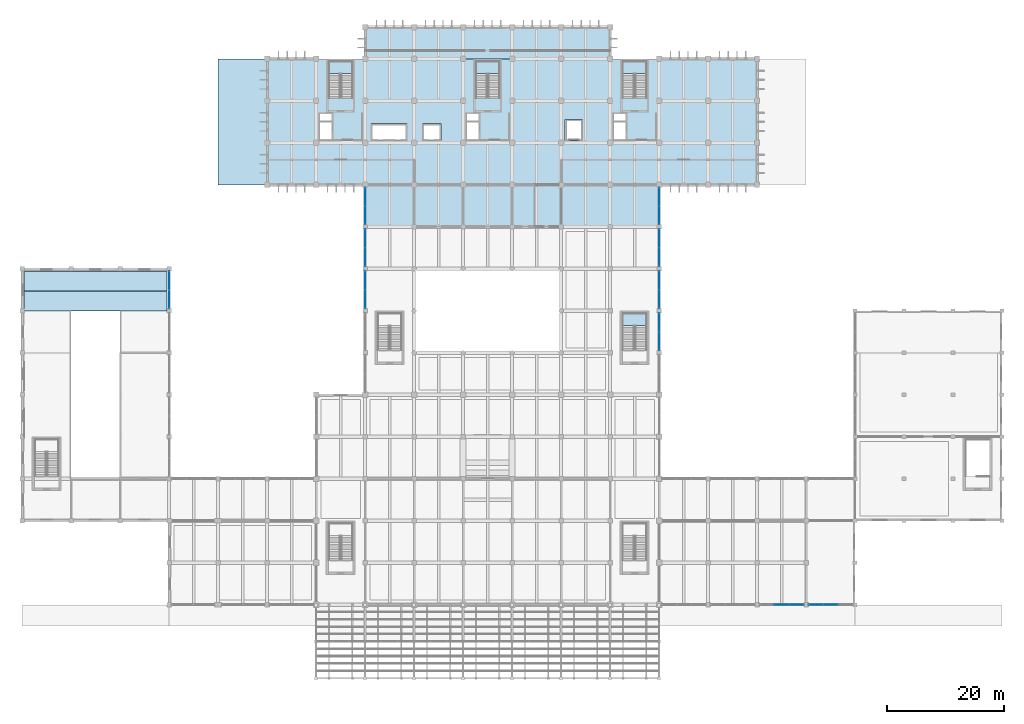
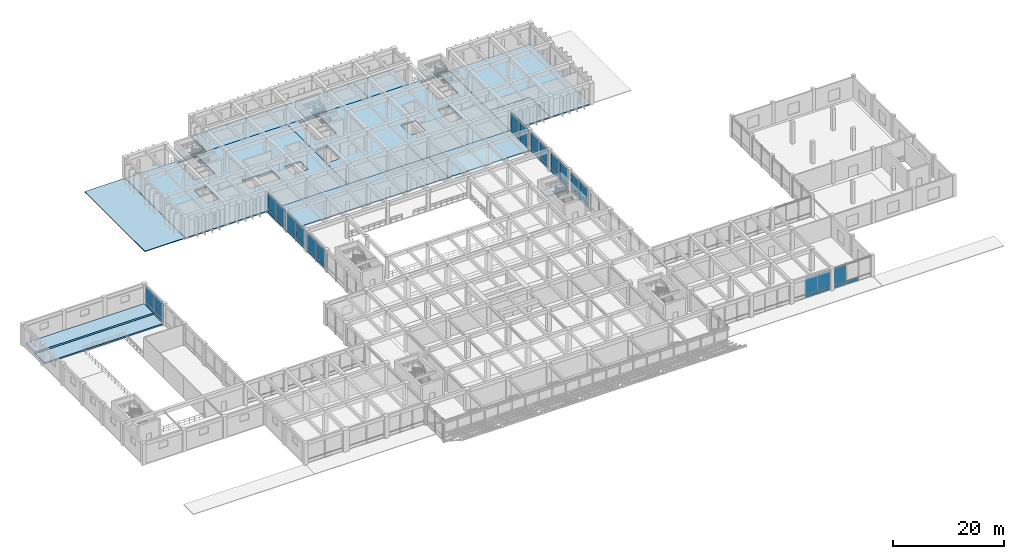
# One storey, part 30 of 52: 39 plates, 15 slabs, 14 elements without a shape of their own.
"""IFC4 building model written with IfcOpenShell, lengths in metres."""

from ifc_helpers import new_model, si_unit, direction, frame, origin, origin_2d, place, context, subcontext, project, spatial, polyline, rectangle, outline, extrude, material, layer, layer_set, type_object, element, aggregate, save


model = new_model("IFC4")

# Units and contexts
model_context = context("Model", 3, precision=1e-05, world=origin(), true_north=direction((0.0, 1.0)))
body_context = subcontext(model_context, "Body", "Model", "MODEL_VIEW")
ifc_project = project(units=[si_unit("LENGTHUNIT", "METRE"), si_unit("AREAUNIT", "SQUARE_METRE"), si_unit("VOLUMEUNIT", "CUBIC_METRE"), si_unit("PLANEANGLEUNIT", "RADIAN"), si_unit("MASSUNIT", "GRAM", prefix="KILO")], contexts=[model_context])

# Site, building, storey
site_placement = place(None, origin())
site = spatial("IfcSite", under=ifc_project, at=site_placement, CompositionType="ELEMENT")
building_placement = place(site_placement, origin())
building = spatial("IfcBuilding", under=site, at=building_placement, Name="Kenerak Square Central Library", CompositionType="ELEMENT")
storey_placement = place(building_placement, frame((0.0, 0.0, 4.800048828125)))
storey = spatial("IfcBuildingStorey", under=building, at=storey_placement, Name="L01", CompositionType="ELEMENT", Elevation=4.800048828125)

# Curtain wall, plates
ifc_material_1 = material(Name="Anodised aluminium and solar-control low-E glazing", Category="aluminium")
curtain_wall_type_1 = type_object("IfcCurtainWallType", Name="Curtain Wall CW-V3-64x45 6450x4500", PredefinedType="USERDEFINED", material=ifc_material_1)
curtain_wall_1_placement = place(storey_placement, origin())
curtain_wall_1 = element("IfcCurtainWall", 1, at=curtain_wall_1_placement, inside=storey, type_object=curtain_wall_type_1, Name="Curtain Wall CW-V3-64x45 L01 0059", ObjectType="CURTAIN WALL", PredefinedType="USERDEFINED")
ifc_material_2 = material(Name="Acoustic solar-control low-E double glazing", Category="glass")
ifc_layer_1 = layer(ifc_material_2, 0.028076171875)
ifc_layer_set_1 = layer_set([ifc_layer_1], Name="Acoustic solar-control low-E double glazing")
plate_type_1 = type_object("IfcPlateType", Name="Acoustic Laminated Curtain Panel CP-28", PredefinedType="CURTAIN_PANEL", material=ifc_layer_set_1)
plate_1_placement = place(storey_placement, frame((33.199951171875, 72.392578125, 0.080078125), z_axis=(0.0, 0.0, 1.0), x_axis=(0.0, -1.0, 0.0)))
plate_1 = element("IfcPlate", 2, at=plate_1_placement, type_object=plate_type_1, Name="CW-V3-64x45 Panel 1.1", PredefinedType="CURTAIN_PANEL", context=body_context, shape_type="SweptSolid", body=[
    extrude(rectangle(XDim=3.10498046875, YDim=0.028076171875, at=origin_2d()), origin(), (0.0, 0.0, 1.0), 0.780029296875),
])
plate_2_placement = place(storey_placement, frame((33.199951171875, 72.392578125, 0.93994140625), z_axis=(0.0, 0.0, 1.0), x_axis=(0.0, -1.0, 0.0)))
plate_2 = element("IfcPlate", 3, at=plate_2_placement, type_object=plate_type_1, Name="CW-V3-64x45 Panel 1.2", PredefinedType="CURTAIN_PANEL", context=body_context, shape_type="SweptSolid", body=[
    extrude(rectangle(XDim=3.10498046875, YDim=0.028076171875, at=origin_2d()), origin(), (0.0, 0.0, 1.0), 3.47998046875),
])
plate_3_placement = place(storey_placement, frame((33.199951171875, 69.20751953125, 0.080078125), z_axis=(0.0, 0.0, 1.0), x_axis=(0.0, -1.0, 0.0)))
plate_3 = element("IfcPlate", 4, at=plate_3_placement, type_object=plate_type_1, Name="CW-V3-64x45 Panel 2.1", PredefinedType="CURTAIN_PANEL", context=body_context, shape_type="SweptSolid", body=[
    extrude(rectangle(XDim=3.10498046875, YDim=0.028076171875, at=origin_2d()), origin(), (0.0, 0.0, 1.0), 0.780029296875),
])
plate_4_placement = place(storey_placement, frame((33.199951171875, 69.20751953125, 0.93994140625), z_axis=(0.0, 0.0, 1.0), x_axis=(0.0, -1.0, 0.0)))
plate_4 = element("IfcPlate", 5, at=plate_4_placement, type_object=plate_type_1, Name="CW-V3-64x45 Panel 2.2", PredefinedType="CURTAIN_PANEL", context=body_context, shape_type="SweptSolid", body=[
    extrude(rectangle(XDim=3.10498046875, YDim=0.028076171875, at=origin_2d()), origin(), (0.0, 0.0, 1.0), 3.47998046875),
])
aggregate(curtain_wall_1, [plate_1, plate_2, plate_3, plate_4])

# Slabs
ifc_material_3 = material(Name="Precast concrete C40/50", Category="concrete")
ifc_layer_2 = layer(ifc_material_3, 0.14990234375)
ifc_layer_set_2 = layer_set([ifc_layer_2], Name="Precast concrete C40/50")
slab_type_1 = type_object("IfcSlabType", Name="Canopy and Lantern Eave Roof Deck RS-150 C40/50", PredefinedType="ROOF", material=ifc_layer_set_2)
slab_1_placement = place(storey_placement, frame((0.0, 0.0, -0.150146484375)))
element("IfcSlab", 6, at=slab_1_placement, inside=storey, type_object=slab_type_1, Name="Canopy Roof Slab V5-STEP-L01-W", PredefinedType="ROOF", context=body_context, shape_type="SweptSolid", body=[
    extrude(outline(polyline([(41.60009765625, 88.800048828125), (49.949951171875, 88.800048828125), (49.949951171875, 110.39990234375), (41.60009765625, 110.39990234375), (41.60009765625, 88.800048828125)])), origin(), (0.0, 0.0, 1.0), 0.150146484375),
])
ifc_material_4 = material(Name="Concrete C40/50", Category="concrete")
ifc_layer_3 = layer(ifc_material_4, 0.22509765625)
ifc_layer_set_3 = layer_set([ifc_layer_3], Name="Concrete C40/50")
slab_type_2 = type_object("IfcSlabType", Name="General Reading Room Slab FS-225 C40/50", PredefinedType="FLOOR", material=ifc_layer_set_3)
slab_2_placement = place(storey_placement, frame((0.0, 0.0, -0.22509765625)))
element("IfcSlab", 7, at=slab_2_placement, inside=storey, type_object=slab_type_2, Name="V4 Floor Slab L01 041", PredefinedType="FLOOR", context=body_context, shape_type="SweptSolid", body=[
    extrude(outline(polyline([(66.800048828125, 81.60009765625), (66.800048828125, 88.800048828125), (100.39990234375, 88.800048828125), (100.39990234375, 81.60009765625), (66.800048828125, 81.60009765625)])), origin(), (0.0, 0.0, 1.0), 0.22509765625),
])
slab_3_placement = place(storey_placement, frame((0.0, 0.0, -0.22509765625)))
element("IfcSlab", 8, at=slab_3_placement, inside=storey, type_object=slab_type_2, Name="V4 Floor Slab L01 043", PredefinedType="FLOOR", context=body_context, shape_type="SweptSolid", body=[
    extrude(outline(polyline([(100.39990234375, 81.60009765625), (100.39990234375, 88.800048828125), (117.199951171875, 88.800048828125), (117.199951171875, 81.60009765625), (100.39990234375, 81.60009765625)])), origin(), (0.0, 0.0, 1.0), 0.22509765625),
])

# Curtain wall, plates
curtain_wall_type_2 = type_object("IfcCurtainWallType", Name="Curtain Wall CW-V4-64x45 6450x4500", PredefinedType="USERDEFINED", material=ifc_material_1)
curtain_wall_2_placement = place(storey_placement, origin())
curtain_wall_2 = element("IfcCurtainWall", 9, at=curtain_wall_2_placement, inside=storey, type_object=curtain_wall_type_2, Name="Curtain Wall CW-V4-64x45 L01 0025", ObjectType="CURTAIN WALL", PredefinedType="USERDEFINED")
ifc_material_5 = material(Name="Solar-control low-E laminated double glazing", Category="glass")
ifc_layer_4 = layer(ifc_material_5, 0.02392578125)
ifc_layer_set_4 = layer_set([ifc_layer_4], Name="Solar-control low-E laminated double glazing")
plate_type_2 = type_object("IfcPlateType", Name="Low-E Double Glazed Curtain Panel CP-24", PredefinedType="CURTAIN_PANEL", material=ifc_layer_set_4)
plate_5_placement = place(storey_placement, frame((66.800048828125, 69.203857421875, 0.06494140625), z_axis=(0.0, 0.0, 1.0), x_axis=(0.0, 1.0, 0.0)))
plate_5 = element("IfcPlate", 10, at=plate_5_placement, type_object=plate_type_2, Name="CW-V4-64x45 Panel 1.1", PredefinedType="CURTAIN_PANEL", context=body_context, shape_type="SweptSolid", body=[
    extrude(rectangle(XDim=3.12744140625, YDim=0.02392578125, at=origin_2d()), origin(), (0.0, 0.0, 1.0), 0.802490234375),
])
plate_6_placement = place(storey_placement, frame((66.800048828125, 69.203857421875, 0.932373046875), z_axis=(0.0, 0.0, 1.0), x_axis=(0.0, 1.0, 0.0)))
plate_6 = element("IfcPlate", 11, at=plate_6_placement, type_object=plate_type_2, Name="CW-V4-64x45 Panel 1.2", PredefinedType="CURTAIN_PANEL", context=body_context, shape_type="SweptSolid", body=[
    extrude(rectangle(XDim=3.12744140625, YDim=0.02392578125, at=origin_2d()), origin(), (0.0, 0.0, 1.0), 3.50244140625),
])
plate_7_placement = place(storey_placement, frame((66.800048828125, 72.396240234375, 0.06494140625), z_axis=(0.0, 0.0, 1.0), x_axis=(0.0, 1.0, 0.0)))
plate_7 = element("IfcPlate", 12, at=plate_7_placement, type_object=plate_type_2, Name="CW-V4-64x45 Panel 2.1", PredefinedType="CURTAIN_PANEL", context=body_context, shape_type="SweptSolid", body=[
    extrude(rectangle(XDim=3.12744140625, YDim=0.02392578125, at=origin_2d()), origin(), (0.0, 0.0, 1.0), 0.802490234375),
])
plate_8_placement = place(storey_placement, frame((66.800048828125, 72.396240234375, 0.932373046875), z_axis=(0.0, 0.0, 1.0), x_axis=(0.0, 1.0, 0.0)))
plate_8 = element("IfcPlate", 13, at=plate_8_placement, type_object=plate_type_2, Name="CW-V4-64x45 Panel 2.2", PredefinedType="CURTAIN_PANEL", context=body_context, shape_type="SweptSolid", body=[
    extrude(rectangle(XDim=3.12744140625, YDim=0.02392578125, at=origin_2d()), origin(), (0.0, 0.0, 1.0), 3.50244140625),
])
aggregate(curtain_wall_2, [plate_5, plate_6, plate_7, plate_8])

curtain_wall_3_placement = place(storey_placement, origin())
curtain_wall_3 = element("IfcCurtainWall", 14, at=curtain_wall_3_placement, inside=storey, type_object=curtain_wall_type_2, Name="Curtain Wall CW-V4-64x45 L01 0026", ObjectType="CURTAIN WALL", PredefinedType="USERDEFINED")
plate_9_placement = place(storey_placement, frame((66.800048828125, 76.40380859375, 0.06494140625), z_axis=(0.0, 0.0, 1.0), x_axis=(0.0, 1.0, 0.0)))
plate_9 = element("IfcPlate", 15, at=plate_9_placement, type_object=plate_type_2, Name="CW-V4-64x45 Panel 1.1", PredefinedType="CURTAIN_PANEL", context=body_context, shape_type="SweptSolid", body=[
    extrude(rectangle(XDim=3.12744140625, YDim=0.02392578125, at=origin_2d()), origin(), (0.0, 0.0, 1.0), 0.802490234375),
])
plate_10_placement = place(storey_placement, frame((66.800048828125, 76.40380859375, 0.932373046875), z_axis=(0.0, 0.0, 1.0), x_axis=(0.0, 1.0, 0.0)))
plate_10 = element("IfcPlate", 16, at=plate_10_placement, type_object=plate_type_2, Name="CW-V4-64x45 Panel 1.2", PredefinedType="CURTAIN_PANEL", context=body_context, shape_type="SweptSolid", body=[
    extrude(rectangle(XDim=3.12744140625, YDim=0.02392578125, at=origin_2d()), origin(), (0.0, 0.0, 1.0), 3.50244140625),
])
plate_11_placement = place(storey_placement, frame((66.800048828125, 79.59619140625, 0.06494140625), z_axis=(0.0, 0.0, 1.0), x_axis=(0.0, 1.0, 0.0)))
plate_11 = element("IfcPlate", 17, at=plate_11_placement, type_object=plate_type_2, Name="CW-V4-64x45 Panel 2.1", PredefinedType="CURTAIN_PANEL", context=body_context, shape_type="SweptSolid", body=[
    extrude(rectangle(XDim=3.12744140625, YDim=0.02392578125, at=origin_2d()), origin(), (0.0, 0.0, 1.0), 0.802490234375),
])
plate_12_placement = place(storey_placement, frame((66.800048828125, 79.59619140625, 0.932373046875), z_axis=(0.0, 0.0, 1.0), x_axis=(0.0, 1.0, 0.0)))
plate_12 = element("IfcPlate", 18, at=plate_12_placement, type_object=plate_type_2, Name="CW-V4-64x45 Panel 2.2", PredefinedType="CURTAIN_PANEL", context=body_context, shape_type="SweptSolid", body=[
    extrude(rectangle(XDim=3.12744140625, YDim=0.02392578125, at=origin_2d()), origin(), (0.0, 0.0, 1.0), 3.50244140625),
])
aggregate(curtain_wall_3, [plate_9, plate_10, plate_11, plate_12])

curtain_wall_type_3 = type_object("IfcCurtainWallType", Name="Curtain Wall CW-V4-63x45 6375x4500", PredefinedType="USERDEFINED", material=ifc_material_1)
curtain_wall_4_placement = place(storey_placement, origin())
curtain_wall_4 = element("IfcCurtainWall", 19, at=curtain_wall_4_placement, inside=storey, type_object=curtain_wall_type_3, Name="Curtain Wall CW-V4-63x45 L01 0027", ObjectType="CURTAIN WALL", PredefinedType="USERDEFINED")
plate_13_placement = place(storey_placement, frame((66.800048828125, 83.5849609375, 0.06494140625), z_axis=(0.0, 0.0, 1.0), x_axis=(0.0, 1.0, 0.0)))
plate_13 = element("IfcPlate", 20, at=plate_13_placement, type_object=plate_type_2, Name="CW-V4-63x45 Panel 1.1", PredefinedType="CURTAIN_PANEL", context=body_context, shape_type="SweptSolid", body=[
    extrude(rectangle(XDim=3.090087890625, YDim=0.02392578125, at=origin_2d()), origin(), (0.0, 0.0, 1.0), 0.802490234375),
])
plate_14_placement = place(storey_placement, frame((66.800048828125, 83.5849609375, 0.932373046875), z_axis=(0.0, 0.0, 1.0), x_axis=(0.0, 1.0, 0.0)))
plate_14 = element("IfcPlate", 21, at=plate_14_placement, type_object=plate_type_2, Name="CW-V4-63x45 Panel 1.2", PredefinedType="CURTAIN_PANEL", context=body_context, shape_type="SweptSolid", body=[
    extrude(rectangle(XDim=3.090087890625, YDim=0.02392578125, at=origin_2d()), origin(), (0.0, 0.0, 1.0), 3.50244140625),
])
plate_15_placement = place(storey_placement, frame((66.800048828125, 86.739990234375, 0.06494140625), z_axis=(0.0, 0.0, 1.0), x_axis=(0.0, 1.0, 0.0)))
plate_15 = element("IfcPlate", 22, at=plate_15_placement, type_object=plate_type_2, Name="CW-V4-63x45 Panel 2.1", PredefinedType="CURTAIN_PANEL", context=body_context, shape_type="SweptSolid", body=[
    extrude(rectangle(XDim=3.090087890625, YDim=0.02392578125, at=origin_2d()), origin(), (0.0, 0.0, 1.0), 0.802490234375),
])
plate_16_placement = place(storey_placement, frame((66.800048828125, 86.739990234375, 0.932373046875), z_axis=(0.0, 0.0, 1.0), x_axis=(0.0, 1.0, 0.0)))
plate_16 = element("IfcPlate", 23, at=plate_16_placement, type_object=plate_type_2, Name="CW-V4-63x45 Panel 2.2", PredefinedType="CURTAIN_PANEL", context=body_context, shape_type="SweptSolid", body=[
    extrude(rectangle(XDim=3.090087890625, YDim=0.02392578125, at=origin_2d()), origin(), (0.0, 0.0, 1.0), 3.50244140625),
])
aggregate(curtain_wall_4, [plate_13, plate_14, plate_15, plate_16])

curtain_wall_5_placement = place(storey_placement, origin())
curtain_wall_5 = element("IfcCurtainWall", 24, at=curtain_wall_5_placement, inside=storey, type_object=curtain_wall_type_3, Name="Curtain Wall CW-V4-63x45 L01 0028", ObjectType="CURTAIN WALL", PredefinedType="USERDEFINED")
plate_17_placement = place(storey_placement, frame((117.199951171875, 86.739990234375, 0.06494140625), z_axis=(0.0, 0.0, 1.0), x_axis=(0.0, -1.0, 0.0)))
plate_17 = element("IfcPlate", 25, at=plate_17_placement, type_object=plate_type_2, Name="CW-V4-63x45 Panel 1.1", PredefinedType="CURTAIN_PANEL", context=body_context, shape_type="SweptSolid", body=[
    extrude(rectangle(XDim=3.090087890625, YDim=0.02392578125, at=origin_2d()), origin(), (0.0, 0.0, 1.0), 0.802490234375),
])
plate_18_placement = place(storey_placement, frame((117.199951171875, 86.739990234375, 0.932373046875), z_axis=(0.0, 0.0, 1.0), x_axis=(0.0, -1.0, 0.0)))
plate_18 = element("IfcPlate", 26, at=plate_18_placement, type_object=plate_type_2, Name="CW-V4-63x45 Panel 1.2", PredefinedType="CURTAIN_PANEL", context=body_context, shape_type="SweptSolid", body=[
    extrude(rectangle(XDim=3.090087890625, YDim=0.02392578125, at=origin_2d()), origin(), (0.0, 0.0, 1.0), 3.50244140625),
])
plate_19_placement = place(storey_placement, frame((117.199951171875, 83.5849609375, 0.06494140625), z_axis=(0.0, 0.0, 1.0), x_axis=(0.0, -1.0, 0.0)))
plate_19 = element("IfcPlate", 27, at=plate_19_placement, type_object=plate_type_2, Name="CW-V4-63x45 Panel 2.1", PredefinedType="CURTAIN_PANEL", context=body_context, shape_type="SweptSolid", body=[
    extrude(rectangle(XDim=3.090087890625, YDim=0.02392578125, at=origin_2d()), origin(), (0.0, 0.0, 1.0), 0.802490234375),
])
plate_20_placement = place(storey_placement, frame((117.199951171875, 83.5849609375, 0.932373046875), z_axis=(0.0, 0.0, 1.0), x_axis=(0.0, -1.0, 0.0)))
plate_20 = element("IfcPlate", 28, at=plate_20_placement, type_object=plate_type_2, Name="CW-V4-63x45 Panel 2.2", PredefinedType="CURTAIN_PANEL", context=body_context, shape_type="SweptSolid", body=[
    extrude(rectangle(XDim=3.090087890625, YDim=0.02392578125, at=origin_2d()), origin(), (0.0, 0.0, 1.0), 3.50244140625),
])
aggregate(curtain_wall_5, [plate_17, plate_18, plate_19, plate_20])

curtain_wall_6_placement = place(storey_placement, origin())
curtain_wall_6 = element("IfcCurtainWall", 29, at=curtain_wall_6_placement, inside=storey, type_object=curtain_wall_type_2, Name="Curtain Wall CW-V4-64x45 L01 0029", ObjectType="CURTAIN WALL", PredefinedType="USERDEFINED")
plate_21_placement = place(storey_placement, frame((117.199951171875, 79.59619140625, 0.06494140625), z_axis=(0.0, 0.0, 1.0), x_axis=(0.0, -1.0, 0.0)))
plate_21 = element("IfcPlate", 30, at=plate_21_placement, type_object=plate_type_2, Name="CW-V4-64x45 Panel 1.1", PredefinedType="CURTAIN_PANEL", context=body_context, shape_type="SweptSolid", body=[
    extrude(rectangle(XDim=3.12744140625, YDim=0.02392578125, at=origin_2d()), origin(), (0.0, 0.0, 1.0), 0.802490234375),
])
plate_22_placement = place(storey_placement, frame((117.199951171875, 79.59619140625, 0.932373046875), z_axis=(0.0, 0.0, 1.0), x_axis=(0.0, -1.0, 0.0)))
plate_22 = element("IfcPlate", 31, at=plate_22_placement, type_object=plate_type_2, Name="CW-V4-64x45 Panel 1.2", PredefinedType="CURTAIN_PANEL", context=body_context, shape_type="SweptSolid", body=[
    extrude(rectangle(XDim=3.12744140625, YDim=0.02392578125, at=origin_2d()), origin(), (0.0, 0.0, 1.0), 3.50244140625),
])
plate_23_placement = place(storey_placement, frame((117.199951171875, 76.40380859375, 0.06494140625), z_axis=(0.0, 0.0, 1.0), x_axis=(0.0, -1.0, 0.0)))
plate_23 = element("IfcPlate", 32, at=plate_23_placement, type_object=plate_type_2, Name="CW-V4-64x45 Panel 2.1", PredefinedType="CURTAIN_PANEL", context=body_context, shape_type="SweptSolid", body=[
    extrude(rectangle(XDim=3.12744140625, YDim=0.02392578125, at=origin_2d()), origin(), (0.0, 0.0, 1.0), 0.802490234375),
])
plate_24_placement = place(storey_placement, frame((117.199951171875, 76.40380859375, 0.932373046875), z_axis=(0.0, 0.0, 1.0), x_axis=(0.0, -1.0, 0.0)))
plate_24 = element("IfcPlate", 33, at=plate_24_placement, type_object=plate_type_2, Name="CW-V4-64x45 Panel 2.2", PredefinedType="CURTAIN_PANEL", context=body_context, shape_type="SweptSolid", body=[
    extrude(rectangle(XDim=3.12744140625, YDim=0.02392578125, at=origin_2d()), origin(), (0.0, 0.0, 1.0), 3.50244140625),
])
aggregate(curtain_wall_6, [plate_21, plate_22, plate_23, plate_24])

curtain_wall_7_placement = place(storey_placement, origin())
curtain_wall_7 = element("IfcCurtainWall", 34, at=curtain_wall_7_placement, inside=storey, type_object=curtain_wall_type_2, Name="Curtain Wall CW-V4-64x45 L01 0030", ObjectType="CURTAIN WALL", PredefinedType="USERDEFINED")
plate_25_placement = place(storey_placement, frame((117.199951171875, 72.396240234375, 0.06494140625), z_axis=(0.0, 0.0, 1.0), x_axis=(0.0, -1.0, 0.0)))
plate_25 = element("IfcPlate", 35, at=plate_25_placement, type_object=plate_type_2, Name="CW-V4-64x45 Panel 1.1", PredefinedType="CURTAIN_PANEL", context=body_context, shape_type="SweptSolid", body=[
    extrude(rectangle(XDim=3.12744140625, YDim=0.02392578125, at=origin_2d()), origin(), (0.0, 0.0, 1.0), 0.802490234375),
])
plate_26_placement = place(storey_placement, frame((117.199951171875, 72.396240234375, 0.932373046875), z_axis=(0.0, 0.0, 1.0), x_axis=(0.0, -1.0, 0.0)))
plate_26 = element("IfcPlate", 36, at=plate_26_placement, type_object=plate_type_2, Name="CW-V4-64x45 Panel 1.2", PredefinedType="CURTAIN_PANEL", context=body_context, shape_type="SweptSolid", body=[
    extrude(rectangle(XDim=3.12744140625, YDim=0.02392578125, at=origin_2d()), origin(), (0.0, 0.0, 1.0), 3.50244140625),
])
plate_27_placement = place(storey_placement, frame((117.199951171875, 69.203857421875, 0.06494140625), z_axis=(0.0, 0.0, 1.0), x_axis=(0.0, -1.0, 0.0)))
plate_27 = element("IfcPlate", 37, at=plate_27_placement, type_object=plate_type_2, Name="CW-V4-64x45 Panel 2.1", PredefinedType="CURTAIN_PANEL", context=body_context, shape_type="SweptSolid", body=[
    extrude(rectangle(XDim=3.12744140625, YDim=0.02392578125, at=origin_2d()), origin(), (0.0, 0.0, 1.0), 0.802490234375),
])
plate_28_placement = place(storey_placement, frame((117.199951171875, 69.203857421875, 0.932373046875), z_axis=(0.0, 0.0, 1.0), x_axis=(0.0, -1.0, 0.0)))
plate_28 = element("IfcPlate", 38, at=plate_28_placement, type_object=plate_type_2, Name="CW-V4-64x45 Panel 2.2", PredefinedType="CURTAIN_PANEL", context=body_context, shape_type="SweptSolid", body=[
    extrude(rectangle(XDim=3.12744140625, YDim=0.02392578125, at=origin_2d()), origin(), (0.0, 0.0, 1.0), 3.50244140625),
])
aggregate(curtain_wall_7, [plate_25, plate_26, plate_27, plate_28])

curtain_wall_8_placement = place(storey_placement, origin())
curtain_wall_8 = element("IfcCurtainWall", 39, at=curtain_wall_8_placement, inside=storey, type_object=curtain_wall_type_2, Name="Curtain Wall CW-V4-64x45 L01 0031", ObjectType="CURTAIN WALL", PredefinedType="USERDEFINED")
plate_29_placement = place(storey_placement, frame((117.199951171875, 65.1962890625, 0.06494140625), z_axis=(0.0, 0.0, 1.0), x_axis=(0.0, -1.0, 0.0)))
plate_29 = element("IfcPlate", 40, at=plate_29_placement, type_object=plate_type_2, Name="CW-V4-64x45 Panel 1.1", PredefinedType="CURTAIN_PANEL", context=body_context, shape_type="SweptSolid", body=[
    extrude(rectangle(XDim=3.12744140625, YDim=0.02392578125, at=origin_2d()), origin(), (0.0, 0.0, 1.0), 0.802490234375),
])
plate_30_placement = place(storey_placement, frame((117.199951171875, 65.1962890625, 0.932373046875), z_axis=(0.0, 0.0, 1.0), x_axis=(0.0, -1.0, 0.0)))
plate_30 = element("IfcPlate", 41, at=plate_30_placement, type_object=plate_type_2, Name="CW-V4-64x45 Panel 1.2", PredefinedType="CURTAIN_PANEL", context=body_context, shape_type="SweptSolid", body=[
    extrude(rectangle(XDim=3.12744140625, YDim=0.02392578125, at=origin_2d()), origin(), (0.0, 0.0, 1.0), 3.50244140625),
])
plate_31_placement = place(storey_placement, frame((117.199951171875, 62.003662109375, 0.06494140625), z_axis=(0.0, 0.0, 1.0), x_axis=(0.0, -1.0, 0.0)))
plate_31 = element("IfcPlate", 42, at=plate_31_placement, type_object=plate_type_2, Name="CW-V4-64x45 Panel 2.1", PredefinedType="CURTAIN_PANEL", context=body_context, shape_type="SweptSolid", body=[
    extrude(rectangle(XDim=3.12744140625, YDim=0.02392578125, at=origin_2d()), origin(), (0.0, 0.0, 1.0), 0.802490234375),
])
plate_32_placement = place(storey_placement, frame((117.199951171875, 62.003662109375, 0.932373046875), z_axis=(0.0, 0.0, 1.0), x_axis=(0.0, -1.0, 0.0)))
plate_32 = element("IfcPlate", 43, at=plate_32_placement, type_object=plate_type_2, Name="CW-V4-64x45 Panel 2.2", PredefinedType="CURTAIN_PANEL", context=body_context, shape_type="SweptSolid", body=[
    extrude(rectangle(XDim=3.12744140625, YDim=0.02392578125, at=origin_2d()), origin(), (0.0, 0.0, 1.0), 3.50244140625),
])
aggregate(curtain_wall_8, [plate_29, plate_30, plate_31, plate_32])

curtain_wall_type_4 = type_object("IfcCurtainWallType", Name="Curtain Wall CW-V6-77x45 7700x4500", PredefinedType="USERDEFINED", material=ifc_material_1)
curtain_wall_9_placement = place(storey_placement, origin())
curtain_wall_9 = element("IfcCurtainWall", 44, at=curtain_wall_9_placement, inside=storey, type_object=curtain_wall_type_4, Name="Curtain Wall CW-V6-77x45 L01 0043", ObjectType="CURTAIN WALL", PredefinedType="USERDEFINED")
plate_33_placement = place(storey_placement, frame((146.625, 16.800048828125, 0.06494140625), z_axis=(0.0, 0.0, 1.0), x_axis=(-1.0, 0.0, 0.0)))
plate_33 = element("IfcPlate", 45, at=plate_33_placement, type_object=plate_type_2, Name="CW-V6-77x45 Panel 2.1", PredefinedType="CURTAIN_PANEL", context=body_context, shape_type="SweptSolid", body=[
    extrude(rectangle(XDim=2.501708984375, YDim=0.02392578125, at=origin_2d()), origin(), (0.0, 0.0, 1.0), 0.802490234375),
])
plate_34_placement = place(storey_placement, frame((144.074462890625, 16.800048828125, 0.06494140625), z_axis=(0.0, 0.0, 1.0), x_axis=(-1.0, 0.0, 0.0)))
plate_34 = element("IfcPlate", 46, at=plate_34_placement, type_object=plate_type_2, Name="CW-V6-77x45 Panel 3.1", PredefinedType="CURTAIN_PANEL", context=body_context, shape_type="SweptSolid", body=[
    extrude(rectangle(XDim=2.46923828125, YDim=0.02392578125, at=origin_2d()), origin(), (0.0, 0.0, 1.0), 0.802490234375),
])
plate_35_placement = place(storey_placement, frame((144.074462890625, 16.800048828125, 0.932373046875), z_axis=(0.0, 0.0, 1.0), x_axis=(-1.0, 0.0, 0.0)))
plate_35 = element("IfcPlate", 47, at=plate_35_placement, type_object=plate_type_2, Name="CW-V6-77x45 Panel 3.2", PredefinedType="CURTAIN_PANEL", context=body_context, shape_type="SweptSolid", body=[
    extrude(rectangle(XDim=2.46923828125, YDim=0.02392578125, at=origin_2d()), origin(), (0.0, 0.0, 1.0), 3.50244140625),
])
aggregate(curtain_wall_9, [plate_33, plate_34, plate_35])

curtain_wall_type_5 = type_object("IfcCurtainWallType", Name="Curtain Wall CW-V6-76x45 7650x4500", PredefinedType="USERDEFINED", material=ifc_material_1)
curtain_wall_10_placement = place(storey_placement, origin())
curtain_wall_10 = element("IfcCurtainWall", 48, at=curtain_wall_10_placement, inside=storey, type_object=curtain_wall_type_5, Name="Curtain Wall CW-V6-76x45 L01 0044", ObjectType="CURTAIN WALL", PredefinedType="USERDEFINED")
plate_36_placement = place(storey_placement, frame((140.733642578125, 16.800048828125, 0.06494140625), z_axis=(0.0, 0.0, 1.0), x_axis=(-1.0, 0.0, 0.0)))
plate_36 = element("IfcPlate", 49, at=plate_36_placement, type_object=plate_type_2, Name="CW-V6-76x45 Panel 1.1", PredefinedType="CURTAIN_PANEL", context=body_context, shape_type="SweptSolid", body=[
    extrude(rectangle(XDim=2.452392578125, YDim=0.02392578125, at=origin_2d()), origin(), (0.0, 0.0, 1.0), 0.802490234375),
])
plate_37_placement = place(storey_placement, frame((140.733642578125, 16.800048828125, 0.932373046875), z_axis=(0.0, 0.0, 1.0), x_axis=(-1.0, 0.0, 0.0)))
plate_37 = element("IfcPlate", 50, at=plate_37_placement, type_object=plate_type_2, Name="CW-V6-76x45 Panel 1.2", PredefinedType="CURTAIN_PANEL", context=body_context, shape_type="SweptSolid", body=[
    extrude(rectangle(XDim=2.452392578125, YDim=0.02392578125, at=origin_2d()), origin(), (0.0, 0.0, 1.0), 3.50244140625),
])
plate_38_placement = place(storey_placement, frame((138.199951171875, 16.800048828125, 0.06494140625), z_axis=(0.0, 0.0, 1.0), x_axis=(-1.0, 0.0, 0.0)))
plate_38 = element("IfcPlate", 51, at=plate_38_placement, type_object=plate_type_2, Name="CW-V6-76x45 Panel 2.1", PredefinedType="CURTAIN_PANEL", context=body_context, shape_type="SweptSolid", body=[
    extrude(rectangle(XDim=2.485107421875, YDim=0.02392578125, at=origin_2d()), origin(), (0.0, 0.0, 1.0), 0.802490234375),
])
plate_39_placement = place(storey_placement, frame((138.199951171875, 16.800048828125, 0.932373046875), z_axis=(0.0, 0.0, 1.0), x_axis=(-1.0, 0.0, 0.0)))
plate_39 = element("IfcPlate", 52, at=plate_39_placement, type_object=plate_type_2, Name="CW-V6-76x45 Panel 2.2", PredefinedType="CURTAIN_PANEL", context=body_context, shape_type="SweptSolid", body=[
    extrude(rectangle(XDim=2.485107421875, YDim=0.02392578125, at=origin_2d()), origin(), (0.0, 0.0, 1.0), 3.50244140625),
])
aggregate(curtain_wall_10, [plate_36, plate_37, plate_38, plate_39])

# Slabs
ifc_layer_5 = layer(ifc_material_4, 0.27490234375)
ifc_layer_set_5 = layer_set([ifc_layer_5], Name="Concrete C40/50")
slab_type_3 = type_object("IfcSlabType", Name="Open Book-Stack Slab FS-275 C40/50", PredefinedType="FLOOR", material=ifc_layer_set_5)
slab_4_placement = place(storey_placement, frame((0.0, 0.0, -0.275146484375)))
element("IfcSlab", 53, at=slab_4_placement, inside=storey, type_object=slab_type_3, Name="V5 Floor Slab L01 075", PredefinedType="FLOOR", context=body_context, shape_type="SweptSolid", body=[
    extrude(outline(polyline([(50.0, 88.800048828125), (50.0, 110.39990234375), (83.60009765625, 110.39990234375), (83.60009765625, 88.800048828125), (50.0, 88.800048828125)]), holes=[polyline([(64.679931640625, 103.64990234375), (64.679931640625, 110.0), (60.52001953125, 110.0), (60.52001953125, 103.64990234375), (64.679931640625, 103.64990234375)]), polyline([(67.800048828125, 96.39990234375), (74.0, 96.39990234375), (74.0, 99.300048828125), (67.800048828125, 99.300048828125), (67.800048828125, 96.39990234375)]), polyline([(76.60009765625, 96.39990234375), (79.800048828125, 96.39990234375), (79.800048828125, 99.300048828125), (76.60009765625, 99.300048828125), (76.60009765625, 96.39990234375)]), polyline([(58.800048828125, 96.39990234375), (61.300048828125, 96.39990234375), (61.300048828125, 101.0), (58.800048828125, 101.0), (58.800048828125, 96.39990234375)])]), origin(), (0.0, 0.0, 1.0), 0.275146484375),
])
slab_5_placement = place(storey_placement, frame((0.0, 0.0, -0.275146484375)))
element("IfcSlab", 54, at=slab_5_placement, inside=storey, type_object=slab_type_3, Name="V5 Floor Slab L01 076", PredefinedType="FLOOR", context=body_context, shape_type="SweptSolid", body=[
    extrude(outline(polyline([(83.60009765625, 88.800048828125), (83.60009765625, 110.39990234375), (117.199951171875, 110.39990234375), (117.199951171875, 88.800048828125), (83.60009765625, 88.800048828125)]), holes=[polyline([(89.8798828125, 103.64990234375), (89.8798828125, 110.0), (85.719970703125, 110.0), (85.719970703125, 103.64990234375), (89.8798828125, 103.64990234375)]), polyline([(115.080078125, 103.64990234375), (115.080078125, 110.0), (110.919921875, 110.0), (110.919921875, 103.64990234375), (115.080078125, 103.64990234375)]), polyline([(84.0, 96.39990234375), (86.5, 96.39990234375), (86.5, 101.0), (84.0, 101.0), (84.0, 96.39990234375)]), polyline([(109.199951171875, 96.39990234375), (111.699951171875, 96.39990234375), (111.699951171875, 101.0), (109.199951171875, 101.0), (109.199951171875, 96.39990234375)]), polyline([(101.10009765625, 96.39990234375), (104.10009765625, 96.39990234375), (104.10009765625, 100.0), (101.10009765625, 100.0), (101.10009765625, 96.39990234375)])]), origin(), (0.0, 0.0, 1.0), 0.275146484375),
])
slab_6_placement = place(storey_placement, frame((0.0, 0.0, -0.275146484375)))
element("IfcSlab", 55, at=slab_6_placement, inside=storey, type_object=slab_type_3, Name="V5 Floor Slab L01 077", PredefinedType="FLOOR", context=body_context, shape_type="SweptSolid", body=[
    extrude(outline(polyline([(117.199951171875, 110.39990234375), (134.0, 110.39990234375), (134.0, 88.800048828125), (125.60009765625, 88.800048828125), (125.60009765625, 96.0), (117.199951171875, 96.0), (117.199951171875, 110.39990234375)])), origin(), (0.0, 0.0, 1.0), 0.275146484375),
])
slab_7_placement = place(storey_placement, frame((0.0, 0.0, -0.275146484375)))
element("IfcSlab", 56, at=slab_7_placement, inside=storey, type_object=slab_type_3, Name="V5 Floor Slab L01 078", PredefinedType="FLOOR", context=body_context, shape_type="SweptSolid", body=[
    extrude(outline(polyline([(125.60009765625, 88.800048828125), (125.60009765625, 96.0), (117.199951171875, 96.0), (117.199951171875, 88.800048828125), (125.60009765625, 88.800048828125)])), origin(), (0.0, 0.0, 1.0), 0.275146484375),
])
slab_8_placement = place(storey_placement, frame((0.0, 0.0, -0.275146484375)))
element("IfcSlab", 57, at=slab_8_placement, inside=storey, type_object=slab_type_3, Name="V5 Floor Slab L01 079", PredefinedType="FLOOR", context=body_context, shape_type="SweptSolid", body=[
    extrude(outline(polyline([(66.800048828125, 110.39990234375), (66.800048828125, 115.800048828125), (100.39990234375, 115.800048828125), (100.39990234375, 110.39990234375), (66.800048828125, 110.39990234375)])), origin(), (0.0, 0.0, 1.0), 0.275146484375),
])
slab_9_placement = place(storey_placement, frame((0.0, 0.0, -0.275146484375)))
element("IfcSlab", 58, at=slab_9_placement, inside=storey, type_object=slab_type_3, Name="V5 Floor Slab L01 080", PredefinedType="FLOOR", context=body_context, shape_type="SweptSolid", body=[
    extrude(outline(polyline([(100.39990234375, 110.39990234375), (100.39990234375, 115.800048828125), (108.800048828125, 115.800048828125), (108.800048828125, 110.39990234375), (100.39990234375, 110.39990234375)])), origin(), (0.0, 0.0, 1.0), 0.275146484375),
])
ifc_layer_6 = layer(ifc_material_4, 0.2099609375)
ifc_layer_set_6 = layer_set([ifc_layer_6], Name="Concrete C40/50")
slab_type_4 = type_object("IfcSlabType", Name="Raked Auditorium Seating Tier Slab ST-210 C40/50", PredefinedType="USERDEFINED", material=ifc_layer_set_6)
slab_10_placement = place(storey_placement, origin())
element("IfcSlab", 59, at=slab_10_placement, inside=storey, type_object=slab_type_4, Name="Stand Upper Balcony Tier 1", ObjectType="SEATING TIER", PredefinedType="USERDEFINED", context=body_context, shape_type="SweptSolid", body=[
    extrude(outline(polyline([(8.35009765625, 67.199951171875), (32.85009765625, 67.199951171875), (32.85009765625, 70.550048828125), (8.35009765625, 70.550048828125), (8.35009765625, 67.199951171875)])), origin(), (0.0, 0.0, 1.0), 0.300048828125),
])
slab_11_placement = place(storey_placement, origin())
element("IfcSlab", 60, at=slab_11_placement, inside=storey, type_object=slab_type_4, Name="Stand Upper Balcony Tier 2", ObjectType="SEATING TIER", PredefinedType="USERDEFINED", context=body_context, shape_type="SweptSolid", body=[
    extrude(outline(polyline([(8.35009765625, 70.60009765625), (32.85009765625, 70.60009765625), (32.85009765625, 73.949951171875), (8.35009765625, 73.949951171875), (8.35009765625, 70.60009765625)])), origin(), (0.0, 0.0, 1.0), 0.599853515625),
])

# Stair, slab
stair_type = type_object("IfcStairType", Name="Exit Dogleg Stair ST-480 C40/50", PredefinedType="HALF_TURN_STAIR", material=ifc_material_4)
stair_1_placement = place(storey_placement, origin())
stair_1 = element("IfcStair", 61, at=stair_1_placement, inside=storey, type_object=stair_type, Name="L01 Protected Exit Stair ST-01", PredefinedType="HALF_TURN_STAIR")
ifc_layer_7 = layer(ifc_material_4, 0.199951171875)
ifc_layer_set_7 = layer_set([ifc_layer_7], Name="Concrete C40/50")
slab_type_5 = type_object("IfcSlabType", Name="Stair Half-Landing Slab LD-200 C40/50", PredefinedType="LANDING", material=ifc_layer_set_7)
slab_12_placement = place(storey_placement, frame((0.0, 0.0, 2.199951171875)))
slab_12 = element("IfcSlab", 62, at=slab_12_placement, type_object=slab_type_5, Name="ST-01 Landing 1", PredefinedType="LANDING", context=body_context, shape_type="SweptSolid", body=[
    extrude(outline(polyline([(64.679931640625, 107.85009765625), (64.679931640625, 110.0), (60.52001953125, 110.0), (60.52001953125, 107.85009765625), (64.679931640625, 107.85009765625)])), origin(), (0.0, 0.0, 1.0), 0.199951171875),
])
aggregate(stair_1, [slab_12])

stair_2_placement = place(storey_placement, origin())
stair_2 = element("IfcStair", 63, at=stair_2_placement, inside=storey, type_object=stair_type, Name="L01 Protected Exit Stair ST-02", PredefinedType="HALF_TURN_STAIR")
slab_13_placement = place(storey_placement, frame((0.0, 0.0, 2.199951171875)))
slab_13 = element("IfcSlab", 64, at=slab_13_placement, type_object=slab_type_5, Name="ST-02 Landing 1", PredefinedType="LANDING", context=body_context, shape_type="SweptSolid", body=[
    extrude(outline(polyline([(89.8798828125, 107.85009765625), (89.8798828125, 110.0), (85.719970703125, 110.0), (85.719970703125, 107.85009765625), (89.8798828125, 107.85009765625)])), origin(), (0.0, 0.0, 1.0), 0.199951171875),
])
aggregate(stair_2, [slab_13])

stair_3_placement = place(storey_placement, origin())
stair_3 = element("IfcStair", 65, at=stair_3_placement, inside=storey, type_object=stair_type, Name="L01 Protected Exit Stair ST-03", PredefinedType="HALF_TURN_STAIR")
slab_14_placement = place(storey_placement, frame((0.0, 0.0, 2.199951171875)))
slab_14 = element("IfcSlab", 66, at=slab_14_placement, type_object=slab_type_5, Name="ST-03 Landing 1", PredefinedType="LANDING", context=body_context, shape_type="SweptSolid", body=[
    extrude(outline(polyline([(115.080078125, 107.85009765625), (115.080078125, 110.0), (110.919921875, 110.0), (110.919921875, 107.85009765625), (115.080078125, 107.85009765625)])), origin(), (0.0, 0.0, 1.0), 0.199951171875),
])
aggregate(stair_3, [slab_14])

stair_4_placement = place(storey_placement, origin())
stair_4 = element("IfcStair", 67, at=stair_4_placement, inside=storey, type_object=stair_type, Name="L01 Protected Exit Stair ST-09", PredefinedType="HALF_TURN_STAIR")
slab_15_placement = place(storey_placement, frame((0.0, 0.0, 2.199951171875)))
slab_15 = element("IfcSlab", 68, at=slab_15_placement, type_object=slab_type_5, Name="ST-09 Landing 1", PredefinedType="LANDING", context=body_context, shape_type="SweptSolid", body=[
    extrude(outline(polyline([(115.080078125, 64.64990234375), (115.080078125, 66.800048828125), (110.919921875, 66.800048828125), (110.919921875, 64.64990234375), (115.080078125, 64.64990234375)])), origin(), (0.0, 0.0, 1.0), 0.199951171875),
])
aggregate(stair_4, [slab_15])

save(model, "model.ifc")
